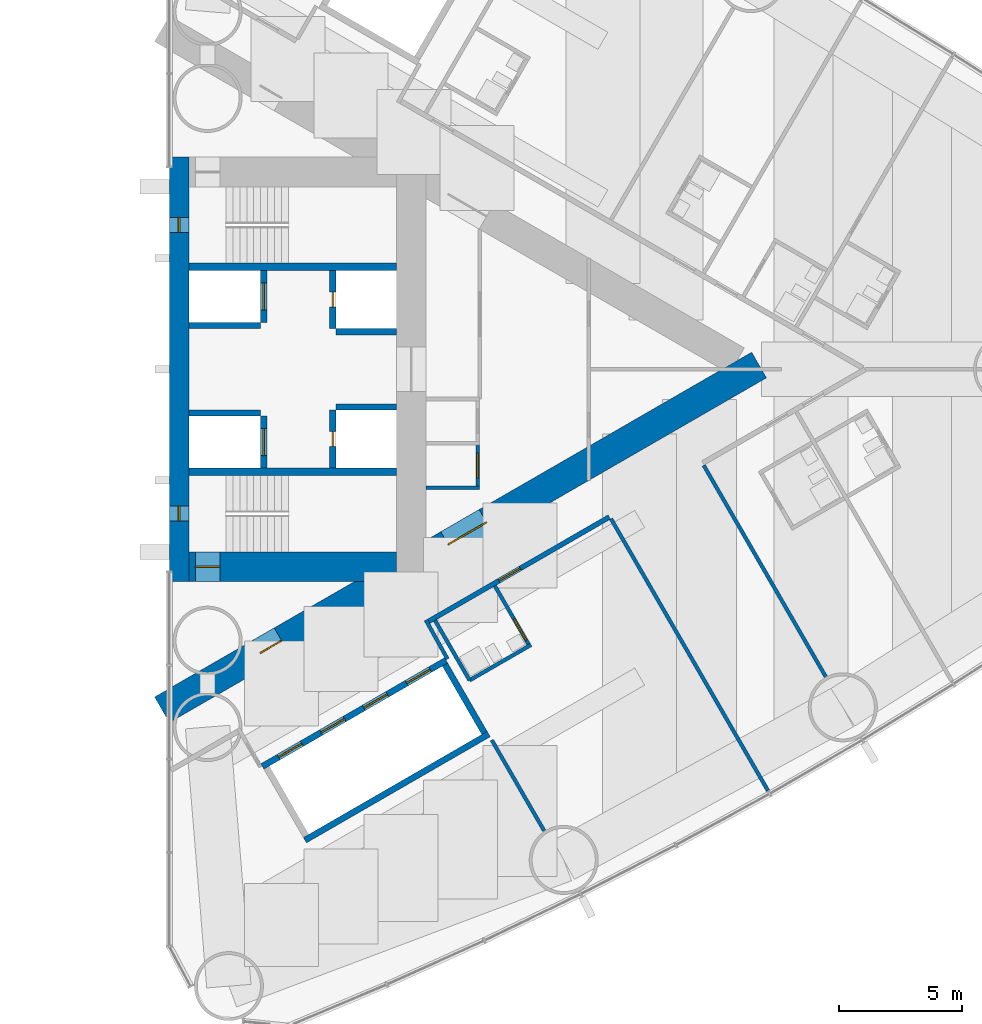
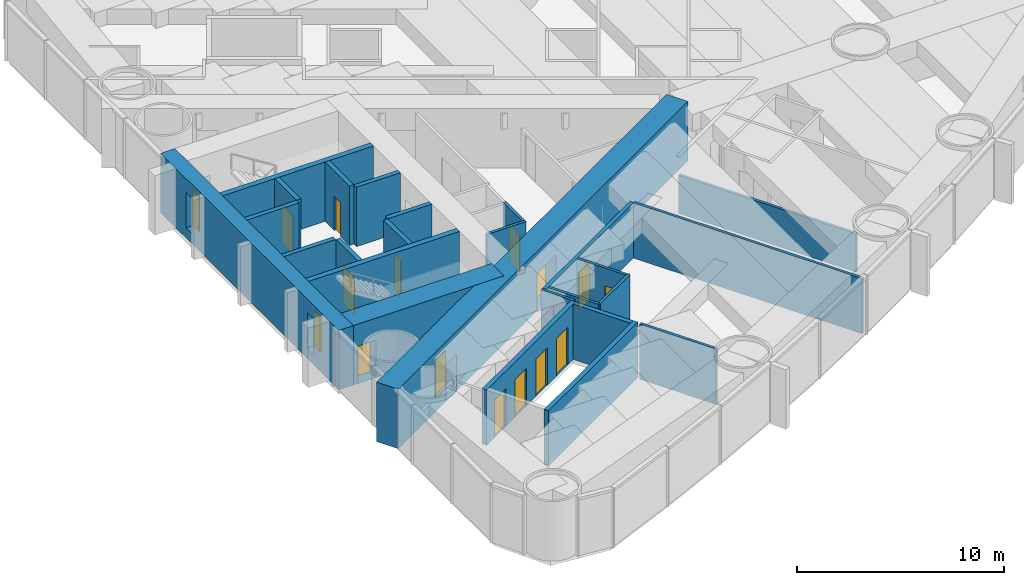
# One storey, part 14 of 19: 26 walls, 14 doors, 2 windows, 16 openings.
"""IFC4 building model written with IfcOpenShell, lengths in metres."""

from ifc_helpers import new_model, si_unit, direction, frame, frame_2d, origin, place, context, subcontext, project, spatial, rectangle, extrude, material, layer, layer_set, type_object, element, fill, save


model = new_model("IFC4")

# Units and contexts
model_context = context("Model", 3, precision=1e-05, world=origin(), true_north=direction((0.0, 1.0)))
body_context = subcontext(model_context, "Body", "Model", "MODEL_VIEW")
ifc_project = project(units=[si_unit("LENGTHUNIT", "METRE"), si_unit("AREAUNIT", "SQUARE_METRE"), si_unit("VOLUMEUNIT", "CUBIC_METRE"), si_unit("PLANEANGLEUNIT", "RADIAN"), si_unit("MASSUNIT", "GRAM", prefix="KILO")], contexts=[model_context])

# Site, building, storey
site_placement = place(None, origin())
site = spatial("IfcSite", under=ifc_project, at=site_placement, CompositionType="ELEMENT")
building_placement = place(site_placement, origin())
building = spatial("IfcBuilding", under=site, at=building_placement, Name="Lancet Gate Hotel", CompositionType="ELEMENT")
storey_placement = place(building_placement, frame((0.0, 0.0, 18.0)))
storey = spatial("IfcBuildingStorey", under=building, at=storey_placement, Name="L03", CompositionType="ELEMENT", Elevation=18.0)

# Wall
ifc_material_1 = material(Name="Moisture resistant board partition")
ifc_layer_1 = layer(ifc_material_1, 0.14990234375)
ifc_layer_set_1 = layer_set([ifc_layer_1], Name="Bathroom wall 150")
wall_type_1 = type_object("IfcWallType", Name="Bathroom wall 150", PredefinedType="PARTITIONING", material=ifc_layer_set_1)
wall_1_placement = place(storey_placement, frame((39.669921875, -12.60498046875, 0.0), z_axis=(0.0, 0.0, 1.0), x_axis=(0.866018712932, 0.500011588718, 0.0)))
element("IfcWall", 1, at=wall_1_placement, inside=storey, type_object=wall_type_1, Name="T2 bathroom wall 150 L03", PredefinedType="PARTITIONING", context=body_context, shape_type="SweptSolid", body=[
    extrude(rectangle(XDim=2.875, YDim=0.14990234375, at=frame_2d((1.4375, 0.0))), origin(), (0.0, 0.0, 1.0), 3.25),
])

# Wall, opening, door
wall_2_placement = place(storey_placement, frame((40.694580078125, -8.780029296875, 0.0), z_axis=(0.0, 0.0, 1.0), x_axis=(0.500049511043, -0.865996816683, 0.0)))
wall_2 = element("IfcWall", 2, at=wall_2_placement, inside=storey, type_object=wall_type_1, Name="T2 bathroom wall 150 L03", PredefinedType="PARTITIONING", context=body_context, shape_type="SweptSolid", body=[
    extrude(rectangle(XDim=2.800048828125, YDim=0.14990234375, at=frame_2d((1.39990234375, 0.0))), origin(), (0.0, 0.0, 1.0), 3.25),
])
opening_1_placement = place(wall_2_placement, frame((1.550048828125, 0.0, 0.0)))
opening_1 = element("IfcOpeningElement", 3, at=opening_1_placement, cuts=wall_2, Name="Opening 0353-B", PredefinedType="OPENING", context=body_context, shape_type="SweptSolid", body=[
    extrude(rectangle(XDim=1.0, YDim=2.199951171875, at=frame_2d((0.5, 1.10009765625))), frame((0.0, 0.0849609375, 0.0), z_axis=(0.0, -1.0, 0.0), x_axis=(1.0, 0.0, 0.0)), (0.0, 0.0, 1.0), 0.169921875),
])
ifc_material_2 = material(Name="Timber door set", Category="wood")
door_type_1 = type_object("IfcDoorType", Name="Accessible en-suite door 1000", OperationType="SINGLE_SWING_RIGHT", PredefinedType="DOOR", material=ifc_material_2)
door_1_placement = place(opening_1_placement, origin())
door_1 = element("IfcDoor", 4, at=door_1_placement, inside=storey, type_object=door_type_1, Name="0353-B", OperationType="SINGLE_SWING_RIGHT", OverallHeight=2.199951171875, OverallWidth=1.0, PredefinedType="DOOR", context=body_context, shape_type="SweptSolid", body=[
    extrude(rectangle(XDim=1.0, YDim=2.199951171875, at=frame_2d((0.5, 1.10009765625))), frame((0.0, 0.02490234375, 0.0), z_axis=(0.0, -1.0, 0.0), x_axis=(1.0, 0.0, 0.0)), (0.0, 0.0, 1.0), 0.050048828125),
])
fill(opening_1, door_1)

# Wall
wall_3_placement = place(storey_placement, frame((38.269775390625, -10.18017578125, 0.0), z_axis=(0.0, 0.0, 1.0), x_axis=(0.500049511043, -0.865996816683, 0.0)))
element("IfcWall", 5, at=wall_3_placement, inside=storey, type_object=wall_type_1, Name="T2 bathroom wall 150 L03", PredefinedType="PARTITIONING", context=body_context, shape_type="SweptSolid", body=[
    extrude(rectangle(XDim=2.800048828125, YDim=0.14990234375, at=frame_2d((1.39990234375, 0.0))), origin(), (0.0, 0.0, 1.0), 3.25),
])

# Wall, openings, doors
ifc_material_3 = material(Name="Concrete C70/85", Category="concrete")
ifc_layer_2 = layer(ifc_material_3, 1.199951171875)
ifc_layer_set_2 = layer_set([ifc_layer_2], Name="Buttress wall 1200")
wall_type_2 = type_object("IfcWallType", Name="Buttress wall 1200", PredefinedType="SHEAR", material=ifc_layer_set_2)
wall_4_placement = place(storey_placement, frame((27.199951171875, -13.800048828125, 0.0), z_axis=(0.0, 0.0, 1.0), x_axis=(0.866027159892, 0.499996958321, 0.0)))
wall_4 = element("IfcWall", 6, at=wall_4_placement, inside=storey, type_object=wall_type_2, Name="T2 buttress wall S L03", PredefinedType="SHEAR", context=body_context, shape_type="SweptSolid", body=[
    extrude(rectangle(XDim=27.946533203125, YDim=1.199951171875, at=frame_2d((13.97314453125, 0.0))), origin(), (0.0, 0.0, 1.0), 3.5),
])
opening_2_placement = place(wall_4_placement, frame((4.60009765625, 0.0, 0.0)))
opening_2 = element("IfcOpeningElement", 7, at=opening_2_placement, cuts=wall_4, Name="Opening T2-L03-LS", PredefinedType="OPENING", context=body_context, shape_type="SweptSolid", body=[
    extrude(rectangle(XDim=1.0, YDim=2.199951171875, at=frame_2d((0.5, 1.10009765625))), frame((0.0, 0.60986328125, 0.0), z_axis=(0.0, -1.0, 0.0), x_axis=(1.0, 0.0, 0.0)), (0.0, 0.0, 1.0), 1.219970703125),
])
opening_3_placement = place(wall_4_placement, frame((13.39453125, 0.0, 0.0)))
opening_3 = element("IfcOpeningElement", 8, at=opening_3_placement, cuts=wall_4, Name="Opening T2-L03-LHS", PredefinedType="OPENING", context=body_context, shape_type="SweptSolid", body=[
    extrude(rectangle(XDim=1.800048828125, YDim=2.199951171875, at=frame_2d((0.89990234375, 1.10009765625))), frame((0.0, 0.60986328125, 0.0), z_axis=(0.0, -1.0, 0.0), x_axis=(1.0, 0.0, 0.0)), (0.0, 0.0, 1.0), 1.219970703125),
])
ifc_material_4 = material(Name="Timber door set", Category="wood")
door_type_2 = type_object("IfcDoorType", Name="Lobby double door 1800", OperationType="DOUBLE_DOOR_SINGLE_SWING", PredefinedType="DOOR", material=ifc_material_4)
door_2_placement = place(opening_3_placement, origin())
door_2 = element("IfcDoor", 9, at=door_2_placement, inside=storey, type_object=door_type_2, Name="T2-L03-LHS", OperationType="DOUBLE_DOOR_SINGLE_SWING", OverallHeight=2.199951171875, OverallWidth=1.800048828125, PredefinedType="DOOR", context=body_context, shape_type="SweptSolid", body=[
    extrude(rectangle(XDim=1.800048828125, YDim=2.199951171875, at=frame_2d((0.89990234375, 1.10009765625))), frame((0.0, 0.02490234375, 0.0), z_axis=(0.0, -1.0, 0.0), x_axis=(1.0, 0.0, 0.0)), (0.0, 0.0, 1.0), 0.050048828125),
])
fill(opening_3, door_2)
ifc_material_5 = material(Name="Timber door set", Category="wood")
door_type_3 = type_object("IfcDoorType", Name="Stair lobby door 1000", OperationType="SINGLE_SWING_LEFT", PredefinedType="DOOR", material=ifc_material_5)
door_3_placement = place(opening_2_placement, origin())
door_3 = element("IfcDoor", 10, at=door_3_placement, inside=storey, type_object=door_type_3, Name="T2-L03-LS", OperationType="SINGLE_SWING_LEFT", OverallHeight=2.199951171875, OverallWidth=1.0, PredefinedType="DOOR", context=body_context, shape_type="SweptSolid", body=[
    extrude(rectangle(XDim=1.0, YDim=2.199951171875, at=frame_2d((0.5, 1.10009765625))), frame((0.0, 0.02490234375, 0.0), z_axis=(0.0, -1.0, 0.0), x_axis=(1.0, 0.0, 0.0)), (0.0, 0.0, 1.0), 0.050048828125),
])
fill(opening_2, door_3)

# Wall, opening, door
ifc_material_6 = material(Name="Concrete C70/85", Category="concrete")
ifc_layer_3 = layer(ifc_material_6, 1.199951171875)
ifc_layer_set_3 = layer_set([ifc_layer_3], Name="Core wall 1200")
wall_type_3 = type_object("IfcWallType", Name="Core wall 1200", PredefinedType="SHEAR", material=ifc_layer_set_3)
wall_5_placement = place(storey_placement, frame((28.300048828125, -8.0, 0.0), z_axis=(0.0, 0.0, 1.0), x_axis=(1.0, 0.0, 0.0)))
wall_5 = element("IfcWall", 11, at=wall_5_placement, inside=storey, type_object=wall_type_3, Name="T2 core wall side-S L03", PredefinedType="SHEAR", context=body_context, shape_type="SweptSolid", body=[
    extrude(rectangle(XDim=8.39990234375, YDim=1.199951171875, at=frame_2d((4.199951171875, 0.0))), origin(), (0.0, 0.0, 1.0), 3.5),
])
opening_4_placement = place(wall_5_placement, frame((0.25, 0.0, 0.0)))
opening_4 = element("IfcOpeningElement", 12, at=opening_4_placement, cuts=wall_5, Name="Opening T2-L03-ST1", PredefinedType="OPENING", context=body_context, shape_type="SweptSolid", body=[
    extrude(rectangle(XDim=1.0, YDim=2.199951171875, at=frame_2d((0.5, 1.10009765625))), frame((0.0, 0.60986328125, 0.0), z_axis=(0.0, -1.0, 0.0), x_axis=(1.0, 0.0, 0.0)), (0.0, 0.0, 1.0), 1.219970703125),
])
ifc_material_7 = material(Name="Timber door set", Category="wood")
door_type_4 = type_object("IfcDoorType", Name="Stair door 1000", OperationType="SINGLE_SWING_RIGHT", PredefinedType="DOOR", material=ifc_material_7)
door_4_placement = place(opening_4_placement, origin())
door_4 = element("IfcDoor", 13, at=door_4_placement, inside=storey, type_object=door_type_4, Name="T2-L03-ST1", OperationType="SINGLE_SWING_RIGHT", OverallHeight=2.199951171875, OverallWidth=1.0, PredefinedType="DOOR", context=body_context, shape_type="SweptSolid", body=[
    extrude(rectangle(XDim=1.0, YDim=2.199951171875, at=frame_2d((0.5, 1.10009765625))), frame((0.0, 0.02490234375, 0.0), z_axis=(0.0, -1.0, 0.0), x_axis=(1.0, 0.0, 0.0)), (0.0, 0.0, 1.0), 0.050048828125),
])
fill(opening_4, door_4)

# Wall, openings, windows
ifc_material_8 = material(Name="Concrete C70/85", Category="concrete")
ifc_layer_4 = layer(ifc_material_8, 0.800048828125)
ifc_layer_set_4 = layer_set([ifc_layer_4], Name="Core wall 800")
wall_type_4 = type_object("IfcWallType", Name="Core wall 800", PredefinedType="SHEAR", material=ifc_layer_set_4)
wall_6_placement = place(storey_placement, frame((27.89990234375, -8.60009765625, 0.0), z_axis=(0.0, 0.0, 1.0), x_axis=(0.0, 1.0, 0.0)))
wall_6 = element("IfcWall", 14, at=wall_6_placement, inside=storey, type_object=wall_type_4, Name="T2 core wall front L03", PredefinedType="SHEAR", context=body_context, shape_type="SweptSolid", body=[
    extrude(rectangle(XDim=17.2001953125, YDim=0.800048828125, at=frame_2d((8.60009765625, 0.0))), origin(), (0.0, 0.0, 1.0), 3.5),
])
opening_5_placement = place(wall_6_placement, frame((2.449951171875, 0.0, 0.60009765625)))
opening_5 = element("IfcOpeningElement", 15, at=opening_5_placement, cuts=wall_6, Name="Opening LW1", PredefinedType="OPENING", context=body_context, shape_type="SweptSolid", body=[
    extrude(rectangle(XDim=0.60009765625, YDim=2.10009765625, at=frame_2d((0.300048828125, 1.050048828125))), frame((0.0, 0.409912109375, 0.0), z_axis=(0.0, -1.0, 0.0), x_axis=(1.0, 0.0, 0.0)), (0.0, 0.0, 1.0), 0.820068359375),
])
opening_6_placement = place(wall_6_placement, frame((14.14990234375, 0.0, 0.60009765625)))
opening_6 = element("IfcOpeningElement", 16, at=opening_6_placement, cuts=wall_6, Name="Opening LW1", PredefinedType="OPENING", context=body_context, shape_type="SweptSolid", body=[
    extrude(rectangle(XDim=0.60009765625, YDim=2.10009765625, at=frame_2d((0.300048828125, 1.050048828125))), frame((0.0, 0.409912109375, 0.0), z_axis=(0.0, -1.0, 0.0), x_axis=(1.0, 0.0, 0.0)), (0.0, 0.0, 1.0), 0.820068359375),
])
ifc_material_9 = material(Name="Fire-resisting glazed steel window", Category="steel")
window_type = type_object("IfcWindowType", Name="Lancet window 600x2100", PartitioningType="SINGLE_PANEL", PredefinedType="WINDOW", material=ifc_material_9)
window_1_placement = place(opening_5_placement, origin())
window_1 = element("IfcWindow", 17, at=window_1_placement, inside=storey, type_object=window_type, Name="T2 stair window S L03", OverallHeight=2.10009765625, OverallWidth=0.60009765625, PartitioningType="SINGLE_PANEL", PredefinedType="WINDOW", context=body_context, shape_type="SweptSolid", body=[
    extrude(rectangle(XDim=0.60009765625, YDim=2.10009765625, at=frame_2d((0.300048828125, 1.050048828125))), frame((0.0, 0.030029296875, 0.0), z_axis=(0.0, -1.0, 0.0), x_axis=(1.0, 0.0, 0.0)), (0.0, 0.0, 1.0), 0.06005859375),
])
fill(opening_5, window_1)
window_2_placement = place(opening_6_placement, origin())
window_2 = element("IfcWindow", 18, at=window_2_placement, inside=storey, type_object=window_type, Name="T2 stair window N L03", OverallHeight=2.10009765625, OverallWidth=0.60009765625, PartitioningType="SINGLE_PANEL", PredefinedType="WINDOW", context=body_context, shape_type="SweptSolid", body=[
    extrude(rectangle(XDim=0.60009765625, YDim=2.10009765625, at=frame_2d((0.300048828125, 1.050048828125))), frame((0.0, 0.030029296875, 0.0), z_axis=(0.0, -1.0, 0.0), x_axis=(1.0, 0.0, 0.0)), (0.0, 0.0, 1.0), 0.06005859375),
])
fill(opening_6, window_2)

# Wall, opening, door
ifc_material_10 = material(Name="Gypsum board partition")
ifc_layer_5 = layer(ifc_material_10, 0.199951171875)
ifc_layer_set_5 = layer_set([ifc_layer_5], Name="Corridor wall 200")
wall_type_5 = type_object("IfcWallType", Name="Corridor wall 200", PredefinedType="PARTITIONING", material=ifc_layer_set_5)
wall_7_placement = place(storey_placement, frame((37.9599609375, -10.243408203125, 0.0), z_axis=(0.0, 0.0, 1.0), x_axis=(0.866024617314, 0.500001362204, 0.0)))
wall_7 = element("IfcWall", 19, at=wall_7_placement, inside=storey, type_object=wall_type_5, Name="T2 corridor wall 200 L03", PredefinedType="PARTITIONING", context=body_context, shape_type="SweptSolid", body=[
    extrude(rectangle(XDim=8.51171875, YDim=0.199951171875, at=frame_2d((4.255859375, 0.0))), origin(), (0.0, 0.0, 1.0), 3.25),
])
opening_7_placement = place(wall_7_placement, frame((3.35009765625, 0.0, 0.0)))
opening_7 = element("IfcOpeningElement", 20, at=opening_7_placement, cuts=wall_7, Name="Opening 0353-E", PredefinedType="OPENING", context=body_context, shape_type="SweptSolid", body=[
    extrude(rectangle(XDim=1.0, YDim=2.199951171875, at=frame_2d((0.5, 1.10009765625))), frame((0.0, 0.10986328125, 0.0), z_axis=(0.0, -1.0, 0.0), x_axis=(1.0, 0.0, 0.0)), (0.0, 0.0, 1.0), 0.219970703125),
])
ifc_material_11 = material(Name="Timber door set", Category="wood")
door_type_5 = type_object("IfcDoorType", Name="Accessible guest room door 1000", OperationType="SINGLE_SWING_LEFT", PredefinedType="DOOR", material=ifc_material_11)
door_5_placement = place(opening_7_placement, origin())
door_5 = element("IfcDoor", 21, at=door_5_placement, inside=storey, type_object=door_type_5, Name="0353-E", OperationType="SINGLE_SWING_LEFT", OverallHeight=2.199951171875, OverallWidth=1.0, PredefinedType="DOOR", context=body_context, shape_type="SweptSolid", body=[
    extrude(rectangle(XDim=1.0, YDim=2.199951171875, at=frame_2d((0.5, 1.10009765625))), frame((0.0, 0.02490234375, 0.0), z_axis=(0.0, -1.0, 0.0), x_axis=(1.0, 0.0, 0.0)), (0.0, 0.0, 1.0), 0.050048828125),
])
fill(opening_7, door_5)

# Wall, openings, doors
ifc_material_12 = material(Name="Gypsum board partition")
ifc_layer_6 = layer(ifc_material_12, 0.25)
ifc_layer_set_6 = layer_set([ifc_layer_6], Name="Lift shaft partition 250")
wall_type_6 = type_object("IfcWallType", Name="Lift shaft partition 250", PredefinedType="PARTITIONING", material=ifc_layer_set_6)
wall_8_placement = place(storey_placement, frame((31.2705078125, -16.09716796875, 0.0), z_axis=(0.0, 0.0, 1.0), x_axis=(0.86604045752, 0.499973925258, 0.0)))
wall_8 = element("IfcWall", 22, at=wall_8_placement, inside=storey, type_object=wall_type_6, Name="T2 lift shaft wall LR L03", PredefinedType="PARTITIONING", context=body_context, shape_type="SweptSolid", body=[
    extrude(rectangle(XDim=8.60009765625, YDim=0.25, at=frame_2d((4.300048828125, 0.0))), origin(), (0.0, 0.0, 1.0), 3.25),
])
opening_8_placement = place(wall_8_placement, frame((0.75, 0.0, 0.0)))
opening_8 = element("IfcOpeningElement", 23, at=opening_8_placement, cuts=wall_8, Name="Opening T2-LR1-L03", PredefinedType="OPENING", context=body_context, shape_type="SweptSolid", body=[
    extrude(rectangle(XDim=1.10009765625, YDim=2.199951171875, at=frame_2d((0.550048828125, 1.10009765625))), frame((0.0, 0.135009765625, 0.0), z_axis=(0.0, -1.0, 0.0), x_axis=(1.0, 0.0, 0.0)), (0.0, 0.0, 1.0), 0.27001953125),
])
opening_9_placement = place(wall_8_placement, frame((2.75, 0.0, 0.0)))
opening_9 = element("IfcOpeningElement", 24, at=opening_9_placement, cuts=wall_8, Name="Opening T2-LR2-L03", PredefinedType="OPENING", context=body_context, shape_type="SweptSolid", body=[
    extrude(rectangle(XDim=1.10009765625, YDim=2.199951171875, at=frame_2d((0.550048828125, 1.10009765625))), frame((0.0, 0.135009765625, 0.0), z_axis=(0.0, -1.0, 0.0), x_axis=(1.0, 0.0, 0.0)), (0.0, 0.0, 1.0), 0.27001953125),
])
opening_10_placement = place(wall_8_placement, frame((4.75, 0.0, 0.0)))
opening_10 = element("IfcOpeningElement", 25, at=opening_10_placement, cuts=wall_8, Name="Opening T2-LR3-L03", PredefinedType="OPENING", context=body_context, shape_type="SweptSolid", body=[
    extrude(rectangle(XDim=1.10009765625, YDim=2.199951171875, at=frame_2d((0.550048828125, 1.10009765625))), frame((0.0, 0.135009765625, 0.0), z_axis=(0.0, -1.0, 0.0), x_axis=(1.0, 0.0, 0.0)), (0.0, 0.0, 1.0), 0.27001953125),
])
opening_11_placement = place(wall_8_placement, frame((6.75, 0.0, 0.0)))
opening_11 = element("IfcOpeningElement", 26, at=opening_11_placement, cuts=wall_8, Name="Opening T2-LR4-L03", PredefinedType="OPENING", context=body_context, shape_type="SweptSolid", body=[
    extrude(rectangle(XDim=1.10009765625, YDim=2.199951171875, at=frame_2d((0.550048828125, 1.10009765625))), frame((0.0, 0.135009765625, 0.0), z_axis=(0.0, -1.0, 0.0), x_axis=(1.0, 0.0, 0.0)), (0.0, 0.0, 1.0), 0.27001953125),
])
ifc_material_13 = material(Name="Steel door set", Category="steel")
door_type_6 = type_object("IfcDoorType", Name="Lift landing door 1100", OperationType="DOUBLE_DOOR_SLIDING", PredefinedType="USERDEFINED", material=ifc_material_13)
door_6_placement = place(opening_8_placement, origin())
door_6 = element("IfcDoor", 27, at=door_6_placement, inside=storey, type_object=door_type_6, Name="T2-LR1-L03", ObjectType="LIFT LANDING DOOR", OperationType="DOUBLE_DOOR_SLIDING", OverallHeight=2.199951171875, OverallWidth=1.10009765625, PredefinedType="USERDEFINED", context=body_context, shape_type="SweptSolid", body=[
    extrude(rectangle(XDim=1.10009765625, YDim=2.199951171875, at=frame_2d((0.550048828125, 1.10009765625))), frame((0.0, 0.02490234375, 0.0), z_axis=(0.0, -1.0, 0.0), x_axis=(1.0, 0.0, 0.0)), (0.0, 0.0, 1.0), 0.050048828125),
])
fill(opening_8, door_6)
door_7_placement = place(opening_9_placement, origin())
door_7 = element("IfcDoor", 28, at=door_7_placement, inside=storey, type_object=door_type_6, Name="T2-LR2-L03", ObjectType="LIFT LANDING DOOR", OperationType="DOUBLE_DOOR_SLIDING", OverallHeight=2.199951171875, OverallWidth=1.10009765625, PredefinedType="USERDEFINED", context=body_context, shape_type="SweptSolid", body=[
    extrude(rectangle(XDim=1.10009765625, YDim=2.199951171875, at=frame_2d((0.550048828125, 1.10009765625))), frame((0.0, 0.02490234375, 0.0), z_axis=(0.0, -1.0, 0.0), x_axis=(1.0, 0.0, 0.0)), (0.0, 0.0, 1.0), 0.050048828125),
])
fill(opening_9, door_7)
door_8_placement = place(opening_10_placement, origin())
door_8 = element("IfcDoor", 29, at=door_8_placement, inside=storey, type_object=door_type_6, Name="T2-LR3-L03", ObjectType="LIFT LANDING DOOR", OperationType="DOUBLE_DOOR_SLIDING", OverallHeight=2.199951171875, OverallWidth=1.10009765625, PredefinedType="USERDEFINED", context=body_context, shape_type="SweptSolid", body=[
    extrude(rectangle(XDim=1.10009765625, YDim=2.199951171875, at=frame_2d((0.550048828125, 1.10009765625))), frame((0.0, 0.02490234375, 0.0), z_axis=(0.0, -1.0, 0.0), x_axis=(1.0, 0.0, 0.0)), (0.0, 0.0, 1.0), 0.050048828125),
])
fill(opening_10, door_8)
door_9_placement = place(opening_11_placement, origin())
door_9 = element("IfcDoor", 30, at=door_9_placement, inside=storey, type_object=door_type_6, Name="T2-LR4-L03", ObjectType="LIFT LANDING DOOR", OperationType="DOUBLE_DOOR_SLIDING", OverallHeight=2.199951171875, OverallWidth=1.10009765625, PredefinedType="USERDEFINED", context=body_context, shape_type="SweptSolid", body=[
    extrude(rectangle(XDim=1.10009765625, YDim=2.199951171875, at=frame_2d((0.550048828125, 1.10009765625))), frame((0.0, 0.02490234375, 0.0), z_axis=(0.0, -1.0, 0.0), x_axis=(1.0, 0.0, 0.0)), (0.0, 0.0, 1.0), 0.050048828125),
])
fill(opening_11, door_9)

# Walls
wall_9_placement = place(storey_placement, frame((32.99560546875, -19.085693359375, 0.0), z_axis=(0.0, 0.0, 1.0), x_axis=(0.866028165386, 0.499995216735, 0.0)))
element("IfcWall", 31, at=wall_9_placement, inside=storey, type_object=wall_type_6, Name="T2 lift shaft wall LR L03", PredefinedType="PARTITIONING", context=body_context, shape_type="SweptSolid", body=[
    extrude(rectangle(XDim=8.60009765625, YDim=0.25, at=frame_2d((4.300048828125, 0.0))), origin(), (0.0, 0.0, 1.0), 3.25),
])
wall_10_placement = place(storey_placement, frame((38.672607421875, -11.968017578125, 0.0), z_axis=(0.0, 0.0, 1.0), x_axis=(0.499929347863, -0.866066190972, 0.0)))
element("IfcWall", 32, at=wall_10_placement, inside=storey, type_object=wall_type_6, Name="T2 lift shaft wall LR L03", PredefinedType="PARTITIONING", context=body_context, shape_type="SweptSolid", body=[
    extrude(rectangle(XDim=3.20068359375, YDim=0.25, at=frame_2d((1.600341796875, 0.0))), origin(), (0.0, 0.0, 1.0), 3.25),
])

# Wall, opening, door
ifc_material_14 = material(Name="Concrete C50/60", Category="concrete")
ifc_layer_7 = layer(ifc_material_14, 0.25)
ifc_layer_set_7 = layer_set([ifc_layer_7], Name="Lift shaft wall 250")
wall_type_7 = type_object("IfcWallType", Name="Lift shaft wall 250", PredefinedType="SHEAR", material=ifc_layer_set_7)
wall_11_placement = place(storey_placement, frame((31.324951171875, -4.0, 0.0), z_axis=(0.0, 0.0, 1.0), x_axis=(0.0, 1.0, 0.0)))
wall_11 = element("IfcWall", 33, at=wall_11_placement, inside=storey, type_object=wall_type_7, Name="T2 core wall row1-S L03", PredefinedType="SHEAR", context=body_context, shape_type="SweptSolid", body=[
    extrude(rectangle(XDim=2.10009765625, YDim=0.25, at=frame_2d((1.050048828125, 0.0))), origin(), (0.0, 0.0, 1.0), 3.5),
])
opening_12_placement = place(wall_11_placement, frame((0.5, 0.0, 0.0)))
opening_12 = element("IfcOpeningElement", 34, at=opening_12_placement, cuts=wall_11, Name="Opening T2-SL1-L03", PredefinedType="OPENING", context=body_context, shape_type="SweptSolid", body=[
    extrude(rectangle(XDim=1.10009765625, YDim=2.199951171875, at=frame_2d((0.550048828125, 1.10009765625))), frame((0.0, 0.135009765625, 0.0), z_axis=(0.0, -1.0, 0.0), x_axis=(1.0, 0.0, 0.0)), (0.0, 0.0, 1.0), 0.27001953125),
])
ifc_material_15 = material(Name="Timber door set", Category="wood")
door_type_7 = type_object("IfcDoorType", Name="Service lift landing door 1100", OperationType="SLIDING_TO_LEFT", PredefinedType="USERDEFINED", material=ifc_material_15)
door_10_placement = place(opening_12_placement, origin())
door_10 = element("IfcDoor", 35, at=door_10_placement, inside=storey, type_object=door_type_7, Name="T2-SL1-L03", ObjectType="LIFT LANDING DOOR", OperationType="SLIDING_TO_LEFT", OverallHeight=2.199951171875, OverallWidth=1.10009765625, PredefinedType="USERDEFINED", context=body_context, shape_type="SweptSolid", body=[
    extrude(rectangle(XDim=1.10009765625, YDim=2.199951171875, at=frame_2d((0.550048828125, 1.10009765625))), frame((0.0, 0.02490234375, 0.0), z_axis=(0.0, -1.0, 0.0), x_axis=(1.0, 0.0, 0.0)), (0.0, 0.0, 1.0), 0.050048828125),
])
fill(opening_12, door_10)

wall_12_placement = place(storey_placement, frame((34.125, -4.0, 0.0), z_axis=(0.0, 0.0, 1.0), x_axis=(0.0, 1.0, 0.0)))
wall_12 = element("IfcWall", 36, at=wall_12_placement, inside=storey, type_object=wall_type_7, Name="T2 core wall row2-S L03", PredefinedType="SHEAR", context=body_context, shape_type="SweptSolid", body=[
    extrude(rectangle(XDim=2.35009765625, YDim=0.25, at=frame_2d((1.175048828125, 0.0))), origin(), (0.0, 0.0, 1.0), 3.5),
])
opening_13_placement = place(wall_12_placement, frame((0.875, 0.0, 0.0)))
opening_13 = element("IfcOpeningElement", 37, at=opening_13_placement, cuts=wall_12, Name="Opening T2-OL3-L03-E", PredefinedType="OPENING", context=body_context, shape_type="SweptSolid", body=[
    extrude(rectangle(XDim=0.60009765625, YDim=2.0, at=frame_2d((0.300048828125, 1.0))), frame((0.0, 0.135009765625, 0.0), z_axis=(0.0, -1.0, 0.0), x_axis=(1.0, 0.0, 0.0)), (0.0, 0.0, 1.0), 0.27001953125),
])
ifc_material_16 = material(Name="Steel door set", Category="steel")
door_type_8 = type_object("IfcDoorType", Name="Lift shaft emergency door 600x2000", OperationType="SLIDING_TO_LEFT", PredefinedType="DOOR", material=ifc_material_16)
door_11_placement = place(opening_13_placement, origin())
door_11 = element("IfcDoor", 38, at=door_11_placement, inside=storey, type_object=door_type_8, Name="T2-OL3-L03-E", OperationType="SLIDING_TO_LEFT", OverallHeight=2.0, OverallWidth=0.60009765625, PredefinedType="DOOR", context=body_context, shape_type="SweptSolid", body=[
    extrude(rectangle(XDim=0.60009765625, YDim=2.0, at=frame_2d((0.300048828125, 1.0))), frame((0.0, 0.02490234375, 0.0), z_axis=(0.0, -1.0, 0.0), x_axis=(1.0, 0.0, 0.0)), (0.0, 0.0, 1.0), 0.050048828125),
])
fill(opening_13, door_11)

# Walls
wall_13_placement = place(storey_placement, frame((28.300048828125, -1.77490234375, 0.0), z_axis=(0.0, 0.0, 1.0), x_axis=(1.0, 0.0, 0.0)))
element("IfcWall", 39, at=wall_13_placement, inside=storey, type_object=wall_type_7, Name="T2 core wall pass1-S L03", PredefinedType="SHEAR", context=body_context, shape_type="SweptSolid", body=[
    extrude(rectangle(XDim=2.89990234375, YDim=0.25, at=frame_2d((1.449951171875, 0.0))), origin(), (0.0, 0.0, 1.0), 3.5),
])
wall_14_placement = place(storey_placement, frame((34.25, -1.52490234375, 0.0), z_axis=(0.0, 0.0, 1.0), x_axis=(1.0, 0.0, 0.0)))
element("IfcWall", 40, at=wall_14_placement, inside=storey, type_object=wall_type_7, Name="T2 core wall pass2-S L03", PredefinedType="SHEAR", context=body_context, shape_type="SweptSolid", body=[
    extrude(rectangle(XDim=2.449951171875, YDim=0.25, at=frame_2d((1.22509765625, 0.0))), origin(), (0.0, 0.0, 1.0), 3.5),
])

# Wall, opening, door
wall_15_placement = place(storey_placement, frame((31.324951171875, 1.89990234375, 0.0), z_axis=(0.0, 0.0, 1.0), x_axis=(0.0, 1.0, 0.0)))
wall_15 = element("IfcWall", 41, at=wall_15_placement, inside=storey, type_object=wall_type_7, Name="T2 core wall row1-N L03", PredefinedType="SHEAR", context=body_context, shape_type="SweptSolid", body=[
    extrude(rectangle(XDim=2.10009765625, YDim=0.25, at=frame_2d((1.050048828125, 0.0))), origin(), (0.0, 0.0, 1.0), 3.5),
])
opening_14_placement = place(wall_15_placement, frame((0.5, 0.0, 0.0)))
opening_14 = element("IfcOpeningElement", 42, at=opening_14_placement, cuts=wall_15, Name="Opening T2-FL2-L03", PredefinedType="OPENING", context=body_context, shape_type="SweptSolid", body=[
    extrude(rectangle(XDim=1.10009765625, YDim=2.199951171875, at=frame_2d((0.550048828125, 1.10009765625))), frame((0.0, 0.135009765625, 0.0), z_axis=(0.0, -1.0, 0.0), x_axis=(1.0, 0.0, 0.0)), (0.0, 0.0, 1.0), 0.27001953125),
])
ifc_material_17 = material(Name="Steel door set", Category="steel")
door_type_9 = type_object("IfcDoorType", Name="Firefighting lift landing door 1100", OperationType="SLIDING_TO_LEFT", PredefinedType="USERDEFINED", material=ifc_material_17)
door_12_placement = place(opening_14_placement, origin())
door_12 = element("IfcDoor", 43, at=door_12_placement, inside=storey, type_object=door_type_9, Name="T2-FL2-L03", ObjectType="LIFT LANDING DOOR", OperationType="SLIDING_TO_LEFT", OverallHeight=2.199951171875, OverallWidth=1.10009765625, PredefinedType="USERDEFINED", context=body_context, shape_type="SweptSolid", body=[
    extrude(rectangle(XDim=1.10009765625, YDim=2.199951171875, at=frame_2d((0.550048828125, 1.10009765625))), frame((0.0, 0.02490234375, 0.0), z_axis=(0.0, -1.0, 0.0), x_axis=(1.0, 0.0, 0.0)), (0.0, 0.0, 1.0), 0.050048828125),
])
fill(opening_14, door_12)

wall_16_placement = place(storey_placement, frame((34.125, 1.64990234375, 0.0), z_axis=(0.0, 0.0, 1.0), x_axis=(0.0, 1.0, 0.0)))
wall_16 = element("IfcWall", 44, at=wall_16_placement, inside=storey, type_object=wall_type_7, Name="T2 core wall row2-N L03", PredefinedType="SHEAR", context=body_context, shape_type="SweptSolid", body=[
    extrude(rectangle(XDim=2.35009765625, YDim=0.25, at=frame_2d((1.175048828125, 0.0))), origin(), (0.0, 0.0, 1.0), 3.5),
])
opening_15_placement = place(wall_16_placement, frame((0.875, 0.0, 0.0)))
opening_15 = element("IfcOpeningElement", 45, at=opening_15_placement, cuts=wall_16, Name="Opening T2-OL4-L03-E", PredefinedType="OPENING", context=body_context, shape_type="SweptSolid", body=[
    extrude(rectangle(XDim=0.60009765625, YDim=2.0, at=frame_2d((0.300048828125, 1.0))), frame((0.0, 0.135009765625, 0.0), z_axis=(0.0, -1.0, 0.0), x_axis=(1.0, 0.0, 0.0)), (0.0, 0.0, 1.0), 0.27001953125),
])
door_13_placement = place(opening_15_placement, origin())
door_13 = element("IfcDoor", 46, at=door_13_placement, inside=storey, type_object=door_type_8, Name="T2-OL4-L03-E", OperationType="SLIDING_TO_LEFT", OverallHeight=2.0, OverallWidth=0.60009765625, PredefinedType="DOOR", context=body_context, shape_type="SweptSolid", body=[
    extrude(rectangle(XDim=0.60009765625, YDim=2.0, at=frame_2d((0.300048828125, 1.0))), frame((0.0, 0.02490234375, 0.0), z_axis=(0.0, -1.0, 0.0), x_axis=(1.0, 0.0, 0.0)), (0.0, 0.0, 1.0), 0.050048828125),
])
fill(opening_15, door_13)

# Walls
wall_17_placement = place(storey_placement, frame((28.300048828125, 1.77490234375, 0.0), z_axis=(0.0, 0.0, 1.0), x_axis=(1.0, 0.0, 0.0)))
element("IfcWall", 47, at=wall_17_placement, inside=storey, type_object=wall_type_7, Name="T2 core wall pass1-N L03", PredefinedType="SHEAR", context=body_context, shape_type="SweptSolid", body=[
    extrude(rectangle(XDim=2.89990234375, YDim=0.25, at=frame_2d((1.449951171875, 0.0))), origin(), (0.0, 0.0, 1.0), 3.5),
])
wall_18_placement = place(storey_placement, frame((34.25, 1.52490234375, 0.0), z_axis=(0.0, 0.0, 1.0), x_axis=(1.0, 0.0, 0.0)))
element("IfcWall", 48, at=wall_18_placement, inside=storey, type_object=wall_type_7, Name="T2 core wall pass2-N L03", PredefinedType="SHEAR", context=body_context, shape_type="SweptSolid", body=[
    extrude(rectangle(XDim=2.449951171875, YDim=0.25, at=frame_2d((1.22509765625, 0.0))), origin(), (0.0, 0.0, 1.0), 3.5),
])
ifc_material_18 = material(Name="Gypsum board partition")
ifc_layer_8 = layer(ifc_material_18, 0.14990234375)
ifc_layer_set_8 = layer_set([ifc_layer_8], Name="Party wall 150")
wall_type_8 = type_object("IfcWallType", Name="Party wall 150", PredefinedType="PARTITIONING", material=ifc_layer_set_8)
wall_19_placement = place(storey_placement, frame((45.40283203125, -6.061767578125, 0.0), z_axis=(0.0, 0.0, 1.0), x_axis=(0.500007077968, -0.866021317279, 0.0)))
element("IfcWall", 49, at=wall_19_placement, inside=storey, type_object=wall_type_8, Name="T2 party wall 150 L03", PredefinedType="PARTITIONING", context=body_context, shape_type="SweptSolid", body=[
    extrude(rectangle(XDim=12.721435546875, YDim=0.14990234375, at=frame_2d((6.36083984375, 0.0))), origin(), (0.0, 0.0, 1.0), 3.25),
])
wall_20_placement = place(storey_placement, frame((49.159423828125, -3.892822265625, 0.0), z_axis=(0.0, 0.0, 1.0), x_axis=(0.499998773722, -0.866026111775, 0.0)))
element("IfcWall", 50, at=wall_20_placement, inside=storey, type_object=wall_type_8, Name="T2 party wall 150 L03", PredefinedType="PARTITIONING", context=body_context, shape_type="SweptSolid", body=[
    extrude(rectangle(XDim=9.8916015625, YDim=0.14990234375, at=frame_2d((4.94580078125, 0.0))), origin(), (0.0, 0.0, 1.0), 2.25),
])
wall_21_placement = place(storey_placement, frame((40.5703125, -15.030029296875, 0.0), z_axis=(0.0, 0.0, 1.0), x_axis=(0.500012993597, -0.866017901798, 0.0)))
element("IfcWall", 51, at=wall_21_placement, inside=storey, type_object=wall_type_8, Name="T2 party wall 150 L03", PredefinedType="PARTITIONING", context=body_context, shape_type="SweptSolid", body=[
    extrude(rectangle(XDim=4.2431640625, YDim=0.14990234375, at=frame_2d((2.12158203125, 0.0))), origin(), (0.0, 0.0, 1.0), 3.25),
])
ifc_material_19 = material(Name="Gypsum board partition")
ifc_layer_9 = layer(ifc_material_19, 0.14990234375)
ifc_layer_set_9 = layer_set([ifc_layer_9], Name="Service room wall 150")
wall_type_9 = type_object("IfcWallType", Name="Service room wall 150", PredefinedType="PARTITIONING", material=ifc_layer_set_9)
wall_22_placement = place(storey_placement, frame((38.7734375, -11.742431640625, 0.0), z_axis=(0.0, 0.0, 1.0), x_axis=(-0.485528096672, 0.8742210632, 0.0)))
element("IfcWall", 52, at=wall_22_placement, inside=storey, type_object=wall_type_9, Name="T2 service room wall 150 L03", PredefinedType="PARTITIONING", context=body_context, shape_type="SweptSolid", body=[
    extrude(rectangle(XDim=1.80517578125, YDim=0.14990234375, at=frame_2d((0.902587890625, 0.0))), origin(), (0.0, 0.0, 1.0), 3.25),
])
wall_23_placement = place(storey_placement, frame((37.89990234375, -4.800048828125, 0.0), z_axis=(0.0, 0.0, 1.0), x_axis=(1.0, 0.0, 0.0)))
element("IfcWall", 53, at=wall_23_placement, inside=storey, type_object=wall_type_9, Name="T2 service room wall 150 L03", PredefinedType="PARTITIONING", context=body_context, shape_type="SweptSolid", body=[
    extrude(rectangle(XDim=2.175048828125, YDim=0.14990234375, at=frame_2d((1.08740234375, 0.0))), origin(), (0.0, 0.0, 1.0), 3.25),
])

# Wall, opening, door
wall_24_placement = place(storey_placement, frame((40.0, -4.875, 0.0), z_axis=(0.0, 0.0, 1.0), x_axis=(0.0, 1.0, 0.0)))
wall_24 = element("IfcWall", 54, at=wall_24_placement, inside=storey, type_object=wall_type_9, Name="T2 service room wall 150 L03", PredefinedType="PARTITIONING", context=body_context, shape_type="SweptSolid", body=[
    extrude(rectangle(XDim=1.949951171875, YDim=0.14990234375, at=frame_2d((0.97509765625, 0.0))), origin(), (0.0, 0.0, 1.0), 3.25),
])
opening_16_placement = place(wall_24_placement, frame((0.47509765625, 0.0, 0.0)))
opening_16 = element("IfcOpeningElement", 55, at=opening_16_placement, cuts=wall_24, Name="Opening T2-L03-HRS1", PredefinedType="OPENING", context=body_context, shape_type="SweptSolid", body=[
    extrude(rectangle(XDim=1.0, YDim=2.199951171875, at=frame_2d((0.5, 1.10009765625))), frame((0.0, 0.0849609375, 0.0), z_axis=(0.0, -1.0, 0.0), x_axis=(1.0, 0.0, 0.0)), (0.0, 0.0, 1.0), 0.169921875),
])
ifc_material_20 = material(Name="Timber door set", Category="wood")
door_type_10 = type_object("IfcDoorType", Name="Service door 1000", OperationType="SINGLE_SWING_LEFT", PredefinedType="DOOR", material=ifc_material_20)
door_14_placement = place(opening_16_placement, origin())
door_14 = element("IfcDoor", 56, at=door_14_placement, inside=storey, type_object=door_type_10, Name="T2-L03-HRS1", OperationType="SINGLE_SWING_LEFT", OverallHeight=2.199951171875, OverallWidth=1.0, PredefinedType="DOOR", context=body_context, shape_type="SweptSolid", body=[
    extrude(rectangle(XDim=1.0, YDim=2.199951171875, at=frame_2d((0.5, 1.10009765625))), frame((0.0, 0.02490234375, 0.0), z_axis=(0.0, -1.0, 0.0), x_axis=(1.0, 0.0, 0.0)), (0.0, 0.0, 1.0), 0.050048828125),
])
fill(opening_16, door_14)

# Walls
ifc_material_21 = material(Name="Concrete C50/60", Category="concrete")
ifc_layer_10 = layer(ifc_material_21, 0.300048828125)
ifc_layer_set_10 = layer_set([ifc_layer_10], Name="Stair enclosure wall 300")
wall_type_10 = type_object("IfcWallType", Name="Stair enclosure wall 300", PredefinedType="SHEAR", material=ifc_layer_set_10)
for number, where, z_axis, x_axis, name in (
    (57, (28.300048828125, -4.14990234375, 0.0), (0.0, 0.0, 1.0), (1.0, 0.0, 0.0), "T2 core wall stair-S L03"),
    (58, (28.300048828125, 4.14990234375, 0.0), (0.0, 0.0, 1.0), (1.0, 0.0, 0.0), "T2 core wall stair-N L03"),
):
    element("IfcWall", number, at=place(storey_placement, frame(where, z_axis=z_axis, x_axis=x_axis)), inside=storey, type_object=wall_type_10, Name=name, PredefinedType="SHEAR", context=body_context, shape_type="SweptSolid", body=[
        extrude(rectangle(XDim=8.39990234375, YDim=0.300048828125, at=frame_2d((4.199951171875, 0.0))), origin(), (0.0, 0.0, 1.0), 3.5),
    ])

save(model, "model.ifc")
